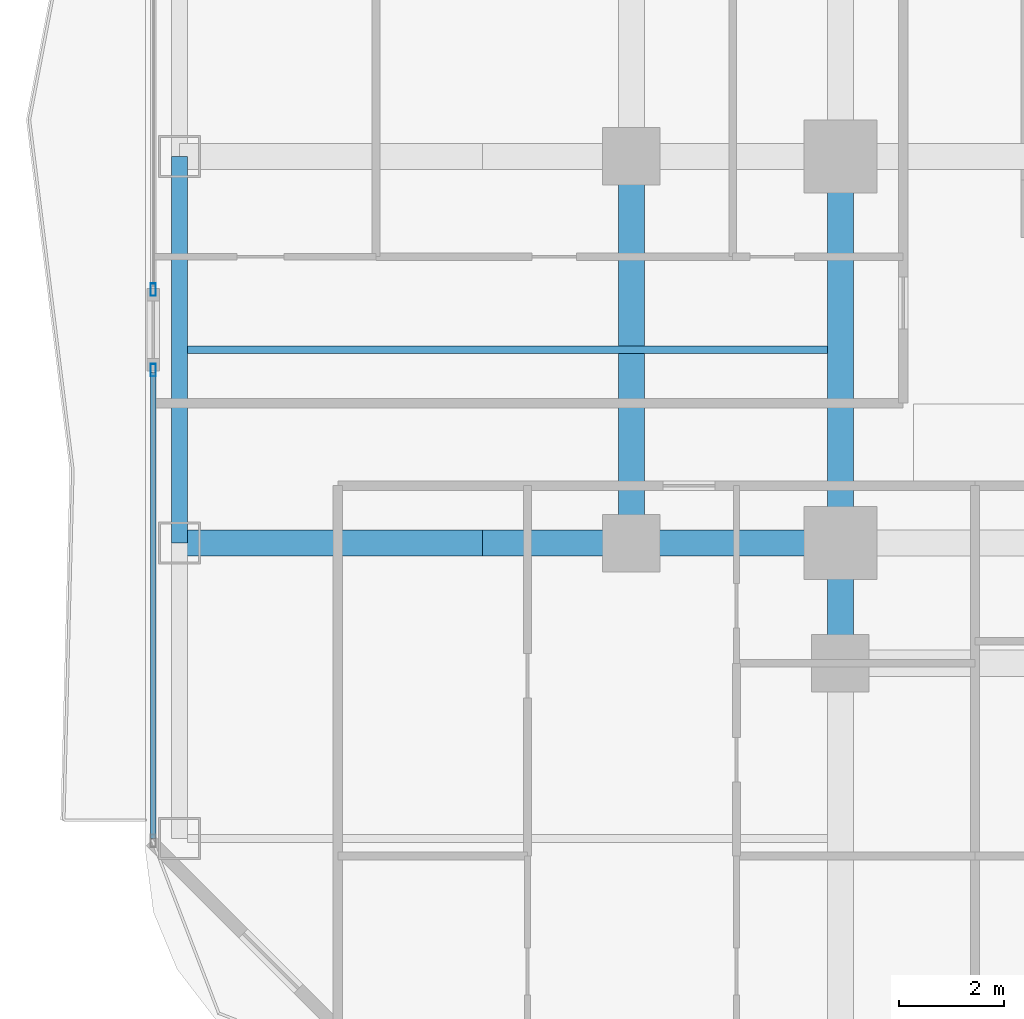
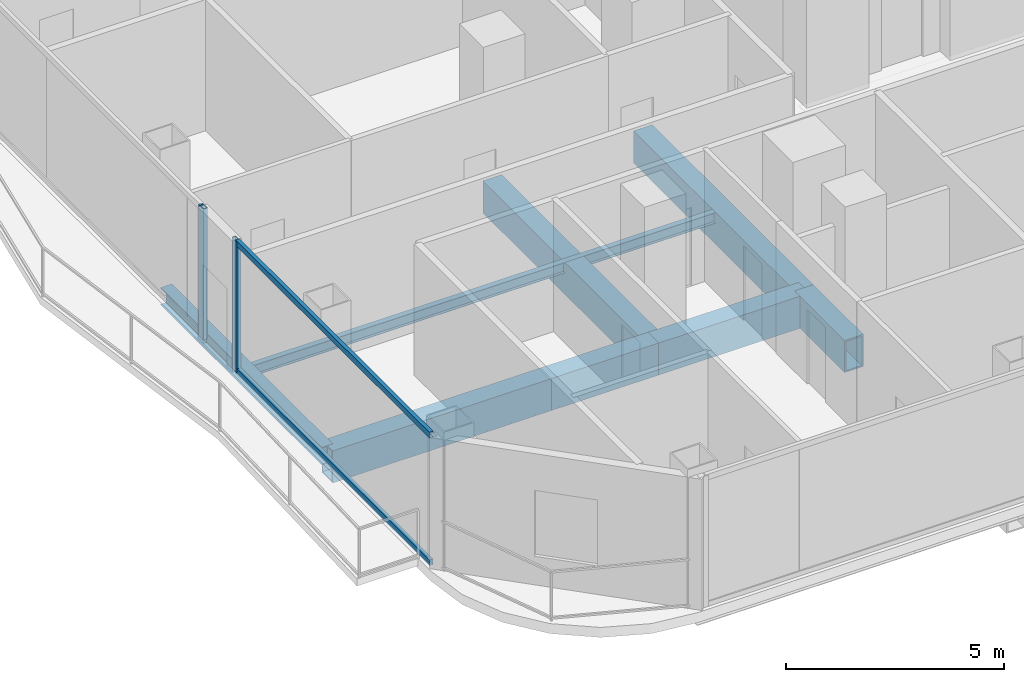
# One storey, part 3 of 29: 8 beams, 4 members, 2 elements without a shape of their own.
"""IFC4 building model written with IfcOpenShell, lengths in metres."""

from ifc_helpers import new_model, si_unit, direction, frame, origin, origin_2d, place, context, subcontext, project, spatial, hollow_rectangle, i_section, extrude, material, layer, layer_set, material_profile, profile_set, type_object, element, aggregate, save


model = new_model("IFC4")

# Units and contexts
model_context = context("Model", 3, precision=1e-05, world=origin(), true_north=direction((0.0, 1.0)))
body_context = subcontext(model_context, "Body", "Model", "MODEL_VIEW")
ifc_project = project(units=[si_unit("LENGTHUNIT", "METRE"), si_unit("AREAUNIT", "SQUARE_METRE"), si_unit("VOLUMEUNIT", "CUBIC_METRE"), si_unit("PLANEANGLEUNIT", "RADIAN"), si_unit("MASSUNIT", "GRAM", prefix="KILO")], contexts=[model_context])

# Site, building, storey
site_placement = place(None, origin())
site = spatial("IfcSite", under=ifc_project, at=site_placement, CompositionType="ELEMENT")
building_placement = place(site_placement, origin())
building = spatial("IfcBuilding", under=site, at=building_placement, Name="Khorvyn Point Tower", CompositionType="ELEMENT")
storey_placement = place(building_placement, frame((0.0, 0.0, 54.0)))
storey = spatial("IfcBuildingStorey", under=building, at=storey_placement, Name="L14", CompositionType="ELEMENT", Elevation=54.0)

# Curtain wall, member
ifc_material_1 = material(Name="Anodised aluminium 6063-T6 and laminated Low-E glass", Category="aluminium")
ifc_layer = layer(ifc_material_1, 0.18994140625)
ifc_layer_set = layer_set([ifc_layer], Name="Stick-Built Finned Residential Curtain Wall CW-SYS-02")
curtain_wall_type = type_object("IfcCurtainWallType", Name="Stick-Built Finned Residential Curtain Wall CW-SYS-02", PredefinedType="NOTDEFINED", material=ifc_layer_set)
curtain_wall_1_placement = place(storey_placement, origin())
curtain_wall_1 = element("IfcCurtainWall", 1, at=curtain_wall_1_placement, inside=storey, type_object=curtain_wall_type, Name="Curtain Wall", PredefinedType="NOTDEFINED")
ifc_material_2 = material(Name="Anodised aluminium 6063-T6", Category="aluminium")
ifc_material_profile_1 = material_profile(ifc_material_2, hollow_rectangle(XDim=0.10009765625, YDim=0.239990234375, WallThickness=0.0048828125, at=origin_2d()))
ifc_profile_set_1 = profile_set([ifc_material_profile_1], Name="Anodised aluminium 6063-T6 ALU-MUL-100x240")
member_type_1 = type_object("IfcMemberType", Name="Anodised Aluminium 6063-T6 Mullion ALU-MUL-100x240", PredefinedType="MULLION", material=ifc_profile_set_1)
member_1_placement = place(storey_placement, frame((-27.949951171875, -11.489990234375, 0.0), z_axis=(0.0, 0.0, 1.0), x_axis=(-1.0, 0.0, 0.0)))
member_1 = element("IfcMember", 2, at=member_1_placement, type_object=member_type_1, Name="Transom", PredefinedType="MULLION", context=body_context, shape_type="SweptSolid", body=[
    extrude(hollow_rectangle(XDim=0.10009765625, YDim=0.239990234375, WallThickness=0.0048828125, at=origin_2d()), origin(), (0.0, 0.0, 1.0), 3.679931640625),
])

curtain_wall_2_placement = place(storey_placement, origin())
curtain_wall_2 = element("IfcCurtainWall", 3, at=curtain_wall_2_placement, inside=storey, type_object=curtain_wall_type, Name="Curtain Wall", PredefinedType="NOTDEFINED")
member_2_placement = place(storey_placement, frame((-27.949951171875, -9.949951171875, 0.0), z_axis=(0.0, 0.0, 1.0), x_axis=(-1.0, 0.0, 0.0)))
member_2 = element("IfcMember", 4, at=member_2_placement, type_object=member_type_1, Name="Transom", PredefinedType="MULLION", context=body_context, shape_type="SweptSolid", body=[
    extrude(hollow_rectangle(XDim=0.10009765625, YDim=0.239990234375, WallThickness=0.0048828125, at=origin_2d()), origin(), (0.0, 0.0, 1.0), 3.679931640625),
])
aggregate(curtain_wall_2, [member_2])

# Member
ifc_material_profile_2 = material_profile(ifc_material_2, hollow_rectangle(XDim=0.10009765625, YDim=0.159912109375, WallThickness=0.00439453125, at=origin_2d()))
ifc_profile_set_2 = profile_set([ifc_material_profile_2], Name="Anodised aluminium 6063-T6 ALU-TRN-100x160")
member_type_2 = type_object("IfcMemberType", Name="Anodised Aluminium 6063-T6 Transom ALU-TRN-100x160", PredefinedType="USERDEFINED", material=ifc_profile_set_2)
member_3_placement = place(storey_placement, frame((-27.949951171875, -20.449951171875, 0.050048828125), z_axis=(0.0, 1.0, 0.0), x_axis=(-1.0, 0.0, 0.0)))
member_3 = element("IfcMember", 5, at=member_3_placement, type_object=member_type_2, Name="Transom", ObjectType="TRANSOM", PredefinedType="USERDEFINED", context=body_context, shape_type="SweptSolid", body=[
    extrude(hollow_rectangle(XDim=0.10009765625, YDim=0.159912109375, WallThickness=0.00439453125, at=origin_2d()), origin(), (0.0, 0.0, 1.0), 8.909912109375),
])

member_4_placement = place(storey_placement, frame((-27.949951171875, -20.449951171875, 3.6298828125), z_axis=(0.0, 1.0, 0.0), x_axis=(-1.0, 0.0, 0.0)))
member_4 = element("IfcMember", 6, at=member_4_placement, type_object=member_type_2, Name="Transom", ObjectType="TRANSOM", PredefinedType="USERDEFINED", context=body_context, shape_type="SweptSolid", body=[
    extrude(hollow_rectangle(XDim=0.10009765625, YDim=0.159912109375, WallThickness=0.00439453125, at=origin_2d()), origin(), (0.0, 0.0, 1.0), 8.909912109375),
])

aggregate(curtain_wall_1, [member_1, member_3, member_4])

# Beams
ifc_material_3 = material(Name="Steel S355", Category="steel")
ifc_material_profile_3 = material_profile(ifc_material_3, i_section(OverallWidth=0.14990234375, OverallDepth=0.300048828125, WebThickness=0.006591796875, FlangeThickness=0.009033203125, at=origin_2d()))
ifc_profile_set_3 = profile_set([ifc_material_profile_3], Name="Steel S355 H300x150x6.5x9")
beam_type_1 = type_object("IfcBeamType", Name="Steel S355 Joist H300x150x6.5x9", PredefinedType="JOIST", material=ifc_profile_set_3)
beam_1_placement = place(storey_placement, frame((-27.300048828125, -11.10009765625, -0.429931640625), z_axis=(1.0, 0.0, 0.0), x_axis=(0.0, 1.0, 0.0)))
element("IfcBeam", 7, at=beam_1_placement, inside=storey, type_object=beam_type_1, Name="Beam", PredefinedType="JOIST", context=body_context, shape_type="SweptSolid", body=[
    extrude(i_section(OverallWidth=0.14990234375, OverallDepth=0.300048828125, WebThickness=0.006591796875, FlangeThickness=0.009033203125, at=origin_2d()), origin(), (0.0, 0.0, 1.0), 12.25),
])
ifc_material_profile_4 = material_profile(ifc_material_3, i_section(OverallWidth=0.300048828125, OverallDepth=0.488037109375, WebThickness=0.010986328125, FlangeThickness=0.01806640625, at=origin_2d()))
ifc_profile_set_4 = profile_set([ifc_material_profile_4], Name="Steel S355 H488x300x11x18")
beam_type_2 = type_object("IfcBeamType", Name="Steel S355 Spandrel H488x300x11x18", PredefinedType="SPANDREL", material=ifc_profile_set_4)
beam_2_placement = place(storey_placement, frame((-27.449951171875, -14.800048828125, -0.52392578125), z_axis=(0.0, 1.0, 0.0), x_axis=(-1.0, 0.0, 0.0)))
element("IfcBeam", 8, at=beam_2_placement, inside=storey, type_object=beam_type_2, Name="Beam", PredefinedType="SPANDREL", context=body_context, shape_type="SweptSolid", body=[
    extrude(i_section(OverallWidth=0.300048828125, OverallDepth=0.488037109375, WebThickness=0.010986328125, FlangeThickness=0.01806640625, at=origin_2d()), origin(), (0.0, 0.0, 1.0), 7.400146484375),
])
ifc_material_4 = material(Name="Steel S450", Category="steel")
ifc_material_profile_5 = material_profile(ifc_material_4, hollow_rectangle(XDim=0.5, YDim=0.89990234375, WallThickness=0.0400390625, at=origin_2d()))
ifc_profile_set_5 = profile_set([ifc_material_profile_5], Name="Steel S450 BOX900x500x40")
beam_type_3 = type_object("IfcBeamType", Name="Steel S450 Beam BOX900x500x40", PredefinedType="BEAM", material=ifc_profile_set_5)
beam_3_placement = place(storey_placement, frame((-27.449951171875, -14.800048828125, -0.72998046875), z_axis=(1.0, 0.0, 0.0), x_axis=(0.0, 1.0, 0.0)))
element("IfcBeam", 9, at=beam_3_placement, inside=storey, type_object=beam_type_3, Name="L14 Radial Transfer Girder", PredefinedType="BEAM", context=body_context, shape_type="SweptSolid", body=[
    extrude(hollow_rectangle(XDim=0.5, YDim=0.89990234375, WallThickness=0.0400390625, at=origin_2d()), origin(), (0.0, 0.0, 1.0), 5.800048828125),
])
beam_4_placement = place(storey_placement, frame((-21.64990234375, -14.800048828125, -0.72998046875), z_axis=(1.0, 0.0, 0.0), x_axis=(0.0, 1.0, 0.0)))
element("IfcBeam", 10, at=beam_4_placement, inside=storey, type_object=beam_type_3, Name="L14 Radial Transfer Girder", PredefinedType="BEAM", context=body_context, shape_type="SweptSolid", body=[
    extrude(hollow_rectangle(XDim=0.5, YDim=0.89990234375, WallThickness=0.0400390625, at=origin_2d()), origin(), (0.0, 0.0, 1.0), 2.849853515625),
])
beam_5_placement = place(storey_placement, frame((-18.800048828125, -14.800048828125, -0.72998046875), z_axis=(1.0, 0.0, 0.0), x_axis=(0.0, 1.0, 0.0)))
element("IfcBeam", 11, at=beam_5_placement, inside=storey, type_object=beam_type_3, Name="L14 Radial Transfer Girder", PredefinedType="BEAM", context=body_context, shape_type="SweptSolid", body=[
    extrude(hollow_rectangle(XDim=0.5, YDim=0.89990234375, WallThickness=0.0400390625, at=origin_2d()), origin(), (0.0, 0.0, 1.0), 4.0),
])
beam_6_placement = place(storey_placement, frame((-14.800048828125, -17.10009765625, -0.72998046875), z_axis=(0.0, 1.0, 0.0), x_axis=(-1.0, 0.0, 0.0)))
element("IfcBeam", 12, at=beam_6_placement, inside=storey, type_object=beam_type_3, Name="L14 Radial Transfer Girder", PredefinedType="BEAM", context=body_context, shape_type="SweptSolid", body=[
    extrude(hollow_rectangle(XDim=0.5, YDim=0.89990234375, WallThickness=0.0400390625, at=origin_2d()), origin(), (0.0, 0.0, 1.0), 2.300048828125),
])
for number, where, z_axis, x_axis, name in (
    (13, (-14.800048828125, -14.800048828125, -0.72998046875), (0.0, 1.0, 0.0), (-1.0, 0.0, 0.0), "L14 Radial Transfer Girder"),
    (14, (-18.800048828125, -14.800048828125, -0.72998046875), (0.0, 1.0, 0.0), (-1.0, 0.0, 0.0), "Beam"),
):
    element("IfcBeam", number, at=place(storey_placement, frame(where, z_axis=z_axis, x_axis=x_axis)), inside=storey, type_object=beam_type_3, Name=name, PredefinedType="BEAM", context=body_context, shape_type="SweptSolid", body=[
        extrude(hollow_rectangle(XDim=0.5, YDim=0.89990234375, WallThickness=0.0400390625, at=origin_2d()), origin(), (0.0, 0.0, 1.0), 7.400146484375),
    ])

save(model, "model.ifc")
